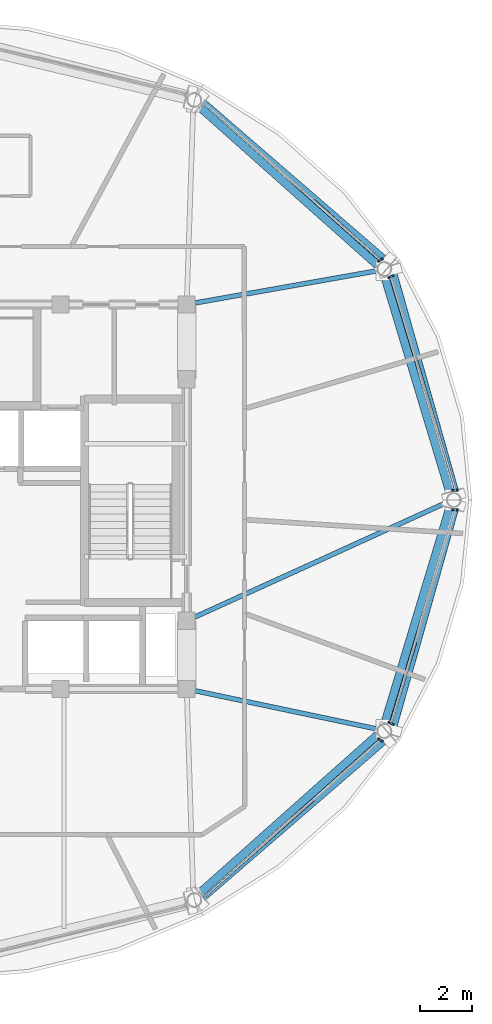
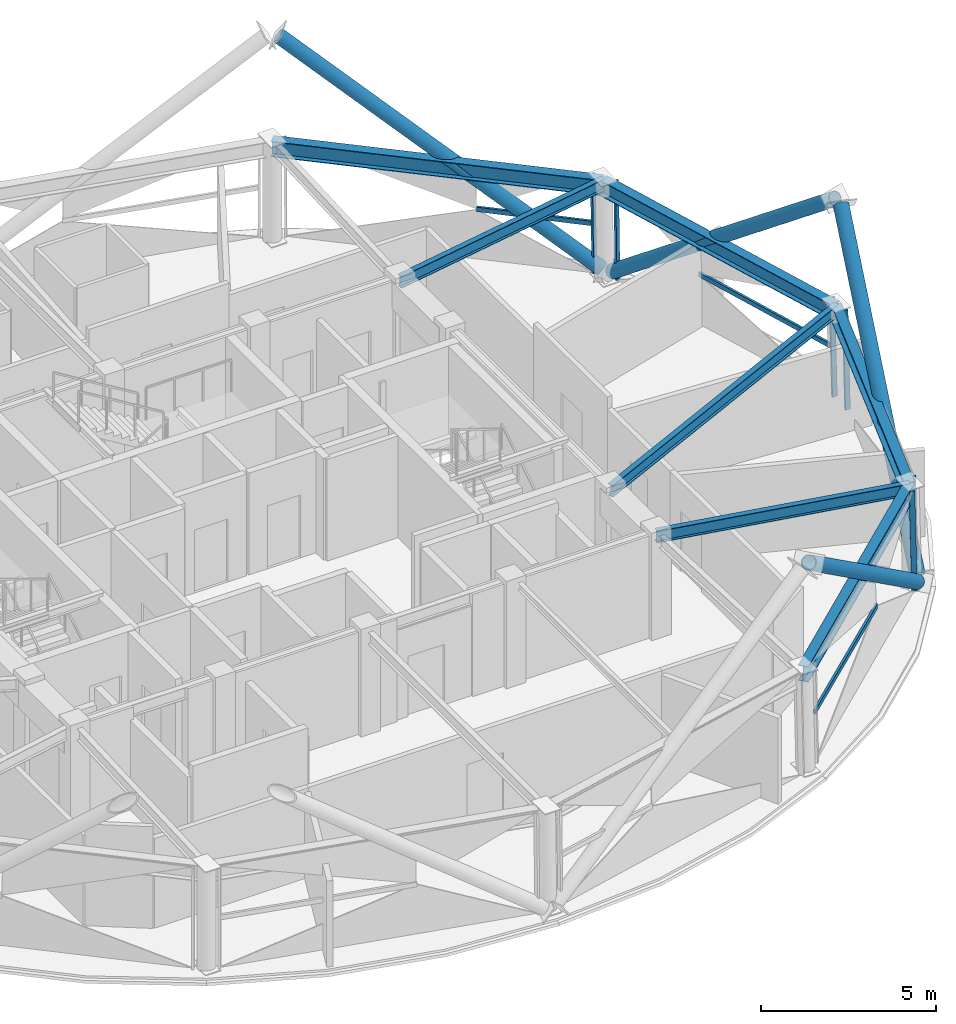
# One storey, part 4 of 16: 14 members, 7 beams, 4 elements without a shape of their own.
"""IFC4 building model written with IfcOpenShell, lengths in metres."""

from ifc_helpers import new_model, si_unit, direction, frame, origin, origin_2d, place, context, subcontext, project, spatial, hollow_rectangle, hollow_circle, i_section, extrude, material, layer, layer_set, material_profile, profile_set, type_object, element, aggregate, save


model = new_model("IFC4")

# Units and contexts
model_context = context("Model", 3, precision=1e-05, world=origin(), true_north=direction((0.0, 1.0)))
body_context = subcontext(model_context, "Body", "Model", "MODEL_VIEW")
ifc_project = project(units=[si_unit("LENGTHUNIT", "METRE"), si_unit("AREAUNIT", "SQUARE_METRE"), si_unit("VOLUMEUNIT", "CUBIC_METRE"), si_unit("PLANEANGLEUNIT", "RADIAN"), si_unit("MASSUNIT", "GRAM", prefix="KILO")], contexts=[model_context])

# Site, building, storey
site_placement = place(None, origin())
site = spatial("IfcSite", under=ifc_project, at=site_placement, CompositionType="ELEMENT")
building_placement = place(site_placement, origin())
building = spatial("IfcBuilding", under=site, at=building_placement, Name="Vantalir Tower", CompositionType="ELEMENT")
storey_placement = place(building_placement, frame((0.0, 0.0, 267.60009765625)))
storey = spatial("IfcBuildingStorey", under=building, at=storey_placement, Name="L67", CompositionType="ELEMENT", Elevation=267.60009765625)

# Beams
ifc_material_1 = material(Name="Steel S355", Category="steel")
ifc_material_profile_1 = material_profile(ifc_material_1, i_section(OverallWidth=0.179931640625, OverallDepth=0.4130859375, WebThickness=0.009521484375, FlangeThickness=0.01611328125, at=origin_2d()), Name="Steel S355")
ifc_profile_set_1 = profile_set([ifc_material_profile_1], Name="Steel S355")
beam_type_1 = type_object("IfcBeamType", Name="BM-RB-406x178", PredefinedType="BEAM", material=ifc_profile_set_1)
beam_1_placement = place(storey_placement, frame((51.2099609375, 25.0, 3.364013671875), z_axis=(-0.910206826308, -0.414153997134, 0.0), x_axis=(0.414153997134, -0.910206826308, 0.0)))
element("IfcBeam", 1, at=beam_1_placement, inside=storey, type_object=beam_type_1, Name="L67 Radial Floor Beam 01", PredefinedType="BEAM", context=body_context, shape_type="SweptSolid", body=[
    extrude(i_section(OverallWidth=0.179931640625, OverallDepth=0.4130859375, WebThickness=0.009521484375, FlangeThickness=0.01611328125, at=origin_2d()), origin(), (0.0, 0.0, 1.0), 11.107177734375),
])
beam_2_placement = place(storey_placement, frame((48.569091796875, 33.76904296875, 3.364013671875), z_axis=(-0.984760218268, -0.173917545167, 0.0), x_axis=(0.173917545167, -0.984760218268, 0.0)))
element("IfcBeam", 2, at=beam_2_placement, inside=storey, type_object=beam_type_1, Name="L67 Radial Floor Beam 02", PredefinedType="BEAM", context=body_context, shape_type="SweptSolid", body=[
    extrude(i_section(OverallWidth=0.179931640625, OverallDepth=0.4130859375, WebThickness=0.009521484375, FlangeThickness=0.01611328125, at=origin_2d()), origin(), (0.0, 0.0, 1.0), 7.58447265625),
])
beam_3_placement = place(storey_placement, frame((48.569091796875, 16.22998046875, 3.364013671875), z_axis=(-0.978611850029, 0.205715451493, 0.0), x_axis=(-0.205715451493, -0.978611850029, 0.0)))
element("IfcBeam", 3, at=beam_3_placement, inside=storey, type_object=beam_type_1, Name="L67 Radial Floor Beam 12", PredefinedType="BEAM", context=body_context, shape_type="SweptSolid", body=[
    extrude(i_section(OverallWidth=0.179931640625, OverallDepth=0.4130859375, WebThickness=0.009521484375, FlangeThickness=0.01611328125, at=origin_2d()), origin(), (0.0, 0.0, 1.0), 7.63232421875),
])
ifc_material_2 = material(Name="Steel S460", Category="steel")
ifc_material_profile_2 = material_profile(ifc_material_2, i_section(OverallWidth=0.31201171875, OverallDepth=0.5419921875, WebThickness=0.0126953125, FlangeThickness=0.020263671875, at=origin_2d()), Name="Steel S460")
ifc_profile_set_2 = profile_set([ifc_material_profile_2], Name="Steel S460")
beam_type_2 = type_object("IfcBeamType", Name="BM-RG-533x312", PredefinedType="USERDEFINED", material=ifc_profile_set_2)
beam_4_placement = place(storey_placement, frame((51.2099609375, 25.0, 3.298828125), z_axis=(-0.288365149324, 0.957520517094, 0.0), x_axis=(-0.957520517094, -0.288365149324, 0.0)))
element("IfcBeam", 4, at=beam_4_placement, inside=storey, type_object=beam_type_2, Name="L67 Circumferential Ring Girder 01", ObjectType="GIRDER", PredefinedType="USERDEFINED", context=body_context, shape_type="SweptSolid", body=[
    extrude(i_section(OverallWidth=0.31201171875, OverallDepth=0.5419921875, WebThickness=0.0126953125, FlangeThickness=0.020263671875, at=origin_2d()), origin(), (0.0, 0.0, 1.0), 9.157958984375),
])
beam_5_placement = place(storey_placement, frame((48.569091796875, 33.76904296875, 3.298828125), z_axis=(-0.747029806683, 0.664790544402, 0.0), x_axis=(-0.664790544402, -0.747029806683, 0.0)))
element("IfcBeam", 5, at=beam_5_placement, inside=storey, type_object=beam_type_2, Name="L67 Circumferential Ring Girder 02", ObjectType="GIRDER", PredefinedType="USERDEFINED", context=body_context, shape_type="SweptSolid", body=[
    extrude(i_section(OverallWidth=0.31201171875, OverallDepth=0.5419921875, WebThickness=0.0126953125, FlangeThickness=0.020263671875, at=origin_2d()), origin(), (0.0, 0.0, 1.0), 9.656982421875),
])
beam_6_placement = place(storey_placement, frame((41.35498046875, 9.81103515625, 3.298828125), z_axis=(0.747080028065, 0.66473410599, 0.0), x_axis=(-0.66473410599, 0.747080028065, 0.0)))
element("IfcBeam", 6, at=beam_6_placement, inside=storey, type_object=beam_type_2, Name="L67 Circumferential Ring Girder 11", ObjectType="GIRDER", PredefinedType="USERDEFINED", context=body_context, shape_type="SweptSolid", body=[
    extrude(i_section(OverallWidth=0.31201171875, OverallDepth=0.5419921875, WebThickness=0.0126953125, FlangeThickness=0.020263671875, at=origin_2d()), origin(), (0.0, 0.0, 1.0), 9.656494140625),
])
beam_7_placement = place(storey_placement, frame((48.569091796875, 16.22998046875, 3.298828125), z_axis=(0.288335708872, 0.957529382833, 0.0), x_axis=(-0.957529382833, 0.288335708872, 0.0)))
element("IfcBeam", 7, at=beam_7_placement, inside=storey, type_object=beam_type_2, Name="L67 Circumferential Ring Girder 12", ObjectType="GIRDER", PredefinedType="USERDEFINED", context=body_context, shape_type="SweptSolid", body=[
    extrude(i_section(OverallWidth=0.31201171875, OverallDepth=0.5419921875, WebThickness=0.0126953125, FlangeThickness=0.020263671875, at=origin_2d()), origin(), (0.0, 0.0, 1.0), 9.158935546875),
])

# Curtain wall, members
ifc_material_3 = material(Name="Champagne-silver PVDF aluminium and double-silver Low-E glass", Category="aluminium")
ifc_layer = layer(ifc_material_3, 0.219970703125)
ifc_layer_set = layer_set([ifc_layer], Name="Champagne-silver PVDF aluminium and double-silver Low-E glass")
curtain_wall_type = type_object("IfcCurtainWallType", Name="CW-DIAMOND-Z4", PredefinedType="USERDEFINED", material=ifc_layer_set)
curtain_wall_1_placement = place(storey_placement, origin())
curtain_wall_1 = element("IfcCurtainWall", 8, at=curtain_wall_1_placement, inside=storey, type_object=curtain_wall_type, Name="L67 Quilted Pyramid-Diamond Curtain Wall S01", ObjectType="UNITISED CURTAIN WALL", PredefinedType="USERDEFINED")
ifc_material_4 = material(Name="Champagne-silver PVDF aluminium 6063-T6", Category="aluminium")
ifc_material_profile_3 = material_profile(ifc_material_4, hollow_rectangle(XDim=0.070068359375, YDim=0.1650390625, WallThickness=0.00390625, at=origin_2d()), Name="Champagne-silver PVDF aluminium 6063-T6")
ifc_profile_set_3 = profile_set([ifc_material_profile_3], Name="Champagne-silver PVDF aluminium 6063-T6")
member_type_1 = type_object("IfcMemberType", Name="CWM-165x70", PredefinedType="MULLION", material=ifc_profile_set_3)
member_1_placement = place(storey_placement, frame((51.367919921875, 25.373046875, 0.044921875), z_axis=(-0.022934894496, 0.0, 0.999736960712), x_axis=(0.0, -1.0, 0.0)))
member_1 = element("IfcMember", 9, at=member_1_placement, type_object=member_type_1, Name="CW-L67-S01 Mullion 1", PredefinedType="MULLION", context=body_context, shape_type="SweptSolid", body=[
    extrude(hollow_rectangle(XDim=0.070068359375, YDim=0.1650390625, WallThickness=0.00390625, at=origin_2d()), origin(), (0.0, 0.0, 1.0), 3.48095703125),
])
member_2_placement = place(storey_placement, frame((48.9150390625, 33.527099609375, 0.044921875), z_axis=(-0.01984909463, -0.010380445248, 0.999749098424), x_axis=(0.463421877407, -0.886137779096, 0.0)))
member_2 = element("IfcMember", 10, at=member_2_placement, type_object=member_type_1, Name="CW-L67-S01 Mullion 2", PredefinedType="MULLION", context=body_context, shape_type="SweptSolid", body=[
    extrude(hollow_rectangle(XDim=0.070068359375, YDim=0.1650390625, WallThickness=0.00390625, at=origin_2d()), origin(), (0.0, 0.0, 1.0), 3.48095703125),
])

# Curtain wall, member
curtain_wall_2_placement = place(storey_placement, origin())
curtain_wall_2 = element("IfcCurtainWall", 11, at=curtain_wall_2_placement, inside=storey, type_object=curtain_wall_type, Name="L67 Quilted Pyramid-Diamond Curtain Wall S02", ObjectType="UNITISED CURTAIN WALL", PredefinedType="USERDEFINED")
member_3_placement = place(storey_placement, frame((48.511962890625, 34.158935546875, 0.044921875), z_axis=(-0.019778998325, -0.010310328914, 0.999751213224), x_axis=(0.462243581644, -0.886752993358, 0.0)))
member_3 = element("IfcMember", 12, at=member_3_placement, type_object=member_type_1, Name="CW-L67-S02 Mullion 1", PredefinedType="MULLION", context=body_context, shape_type="SweptSolid", body=[
    extrude(hollow_rectangle(XDim=0.070068359375, YDim=0.1650390625, WallThickness=0.00390625, at=origin_2d()), origin(), (0.0, 0.0, 1.0), 3.48095703125),
])

curtain_wall_3_placement = place(storey_placement, origin())
curtain_wall_3 = element("IfcCurtainWall", 13, at=curtain_wall_3_placement, inside=storey, type_object=curtain_wall_type, Name="L67 Quilted Pyramid-Diamond Curtain Wall S11", ObjectType="UNITISED CURTAIN WALL", PredefinedType="USERDEFINED")
member_4_placement = place(storey_placement, frame((48.511962890625, 15.840087890625, 0.044921875), z_axis=(-0.019778998325, 0.010310328914, 0.999751213224), x_axis=(-0.462243581644, -0.886752993358, 0.0)))
member_4 = element("IfcMember", 14, at=member_4_placement, type_object=member_type_1, Name="CW-L67-S11 Mullion 2", PredefinedType="MULLION", context=body_context, shape_type="SweptSolid", body=[
    extrude(hollow_rectangle(XDim=0.070068359375, YDim=0.1650390625, WallThickness=0.00390625, at=origin_2d()), origin(), (0.0, 0.0, 1.0), 3.48095703125),
])

# Curtain wall, members
curtain_wall_4_placement = place(storey_placement, origin())
curtain_wall_4 = element("IfcCurtainWall", 15, at=curtain_wall_4_placement, inside=storey, type_object=curtain_wall_type, Name="L67 Quilted Pyramid-Diamond Curtain Wall S12", ObjectType="UNITISED CURTAIN WALL", PredefinedType="USERDEFINED")
member_5_placement = place(storey_placement, frame((48.9150390625, 16.471923828125, 0.044921875), z_axis=(-0.01984909463, 0.010380445248, 0.999749098424), x_axis=(-0.463421877407, -0.886137779096, 0.0)))
member_5 = element("IfcMember", 16, at=member_5_placement, type_object=member_type_1, Name="CW-L67-S12 Mullion 1", PredefinedType="MULLION", context=body_context, shape_type="SweptSolid", body=[
    extrude(hollow_rectangle(XDim=0.070068359375, YDim=0.1650390625, WallThickness=0.00390625, at=origin_2d()), origin(), (0.0, 0.0, 1.0), 3.48095703125),
])
member_6_placement = place(storey_placement, frame((51.367919921875, 24.626953125, 0.044921875), z_axis=(-0.022934894496, 0.0, 0.999736960712), x_axis=(0.0, -1.0, 0.0)))
member_6 = element("IfcMember", 17, at=member_6_placement, type_object=member_type_1, Name="CW-L67-S12 Mullion 2", PredefinedType="MULLION", context=body_context, shape_type="SweptSolid", body=[
    extrude(hollow_rectangle(XDim=0.070068359375, YDim=0.1650390625, WallThickness=0.00390625, at=origin_2d()), origin(), (0.0, 0.0, 1.0), 3.48095703125),
])

# Member
ifc_material_profile_4 = material_profile(ifc_material_4, hollow_rectangle(XDim=0.074951171875, YDim=0.159912109375, WallThickness=0.00390625, at=origin_2d()), Name="Champagne-silver PVDF aluminium 6063-T6")
ifc_profile_set_4 = profile_set([ifc_material_profile_4], Name="Champagne-silver PVDF aluminium 6063-T6")
member_type_2 = type_object("IfcMemberType", Name="CWT-160x75", PredefinedType="USERDEFINED", material=ifc_profile_set_4)
member_7_placement = place(storey_placement, frame((51.327880859375, 25.373046875, 1.784912109375), z_axis=(-0.283616435784, 0.958937806822, 0.0), x_axis=(-0.958937806822, -0.283616435784, 0.0)))
member_7 = element("IfcMember", 18, at=member_7_placement, type_object=member_type_2, Name="CW-L67-S01 Pyramid Fold Ridge Transom", ObjectType="TRANSOM", PredefinedType="USERDEFINED", context=body_context, shape_type="SweptSolid", body=[
    extrude(hollow_rectangle(XDim=0.074951171875, YDim=0.159912109375, WallThickness=0.00390625, at=origin_2d()), origin(), (0.0, 0.0, 1.0), 5.267333984375),
])

aggregate(curtain_wall_1, [member_1, member_2, member_7])

member_8_placement = place(storey_placement, frame((48.47705078125, 34.14111328125, 1.784912109375), z_axis=(-0.741959187659, 0.670445049089, 0.0), x_axis=(-0.670445049089, -0.741959187659, 0.0)))
member_8 = element("IfcMember", 19, at=member_8_placement, type_object=member_type_2, Name="CW-L67-S02 Pyramid Fold Ridge Transom", ObjectType="TRANSOM", PredefinedType="USERDEFINED", context=body_context, shape_type="SweptSolid", body=[
    extrude(hollow_rectangle(XDim=0.074951171875, YDim=0.159912109375, WallThickness=0.00390625, at=origin_2d()), origin(), (0.0, 0.0, 1.0), 3.413818359375),
])

aggregate(curtain_wall_2, [member_3, member_8])

member_9_placement = place(storey_placement, frame((41.760986328125, 9.8740234375, 1.784912109375), z_axis=(0.74947393524, 0.662033851398, 0.0), x_axis=(-0.662033851398, 0.74947393524, 0.0)))
member_9 = element("IfcMember", 20, at=member_9_placement, type_object=member_type_2, Name="CW-L67-S11 Pyramid Fold Ridge Transom", ObjectType="TRANSOM", PredefinedType="USERDEFINED", context=body_context, shape_type="SweptSolid", body=[
    extrude(hollow_rectangle(XDim=0.074951171875, YDim=0.159912109375, WallThickness=0.00390625, at=origin_2d()), origin(), (0.0, 0.0, 1.0), 5.581298828125),
])

aggregate(curtain_wall_3, [member_4, member_9])

member_10_placement = place(storey_placement, frame((48.881103515625, 16.489990234375, 1.784912109375), z_axis=(0.295121793432, 0.955459641765, 0.0), x_axis=(-0.955459641765, 0.295121793432, 0.0)))
member_10 = element("IfcMember", 21, at=member_10_placement, type_object=member_type_2, Name="CW-L67-S12 Pyramid Fold Ridge Transom", ObjectType="TRANSOM", PredefinedType="USERDEFINED", context=body_context, shape_type="SweptSolid", body=[
    extrude(hollow_rectangle(XDim=0.074951171875, YDim=0.159912109375, WallThickness=0.00390625, at=origin_2d()), origin(), (0.0, 0.0, 1.0), 3.228759765625),
])

aggregate(curtain_wall_4, [member_5, member_6, member_10])

# Members
ifc_material_profile_5 = material_profile(ifc_material_2, hollow_circle(Radius=0.22998046875, WallThickness=0.028076171875, at=origin_2d()), Name="Steel S460")
ifc_profile_set_5 = profile_set([ifc_material_profile_5], Name="Steel S460")
member_type_3 = type_object("IfcMemberType", Name="MEM-DB-460x28", PredefinedType="BRACE", material=ifc_profile_set_5)
member_11_placement = place(storey_placement, frame((48.6689453125, 34.01611328125, 0.2099609375), z_axis=(-0.610248892853, 0.527590111553, 0.590969511027), x_axis=(-0.654015254259, -0.756481359451, 0.0)))
element("IfcMember", 22, at=member_11_placement, inside=storey, type_object=member_type_3, Name="L67 Perimeter S460 Diagrid Brace R04L", PredefinedType="BRACE", context=body_context, shape_type="SweptSolid", body=[
    extrude(hollow_circle(Radius=0.22998046875, WallThickness=0.028076171875, at=origin_2d()), origin(), (0.0, 0.0, 1.0), 11.675537109375),
])
member_12_placement = place(storey_placement, frame((48.85009765625, 33.73291015625, 0.21484375), z_axis=(0.215231430304, -0.760944172071, 0.612077934908), x_axis=(0.962249151552, 0.272170112866, 0.0)))
element("IfcMember", 23, at=member_12_placement, inside=storey, type_object=member_type_3, Name="L67 Perimeter S460 Diagrid Brace R04R", PredefinedType="BRACE", context=body_context, shape_type="SweptSolid", body=[
    extrude(hollow_circle(Radius=0.22998046875, WallThickness=0.028076171875, at=origin_2d()), origin(), (0.0, 0.0, 1.0), 11.257080078125),
])
member_13_placement = place(storey_placement, frame((48.85009765625, 16.26611328125, 0.21484375), z_axis=(0.215217222754, 0.760980687873, 0.612037531295), x_axis=(-0.962257276597, 0.272141385379, 0.0)))
element("IfcMember", 24, at=member_13_placement, inside=storey, type_object=member_type_3, Name="L67 Perimeter S460 Diagrid Brace R34L", PredefinedType="BRACE", context=body_context, shape_type="SweptSolid", body=[
    extrude(hollow_circle(Radius=0.22998046875, WallThickness=0.028076171875, at=origin_2d()), origin(), (0.0, 0.0, 1.0), 11.2578125),
])
member_14_placement = place(storey_placement, frame((48.6689453125, 15.98291015625, 0.2099609375), z_axis=(-0.610275821848, -0.52752974773, 0.590995589263), x_axis=(0.653955913371, -0.756532658494, 0.0)))
element("IfcMember", 25, at=member_14_placement, inside=storey, type_object=member_type_3, Name="L67 Perimeter S460 Diagrid Brace R34R", PredefinedType="BRACE", context=body_context, shape_type="SweptSolid", body=[
    extrude(hollow_circle(Radius=0.22998046875, WallThickness=0.028076171875, at=origin_2d()), origin(), (0.0, 0.0, 1.0), 11.675048828125),
])

save(model, "model.ifc")
